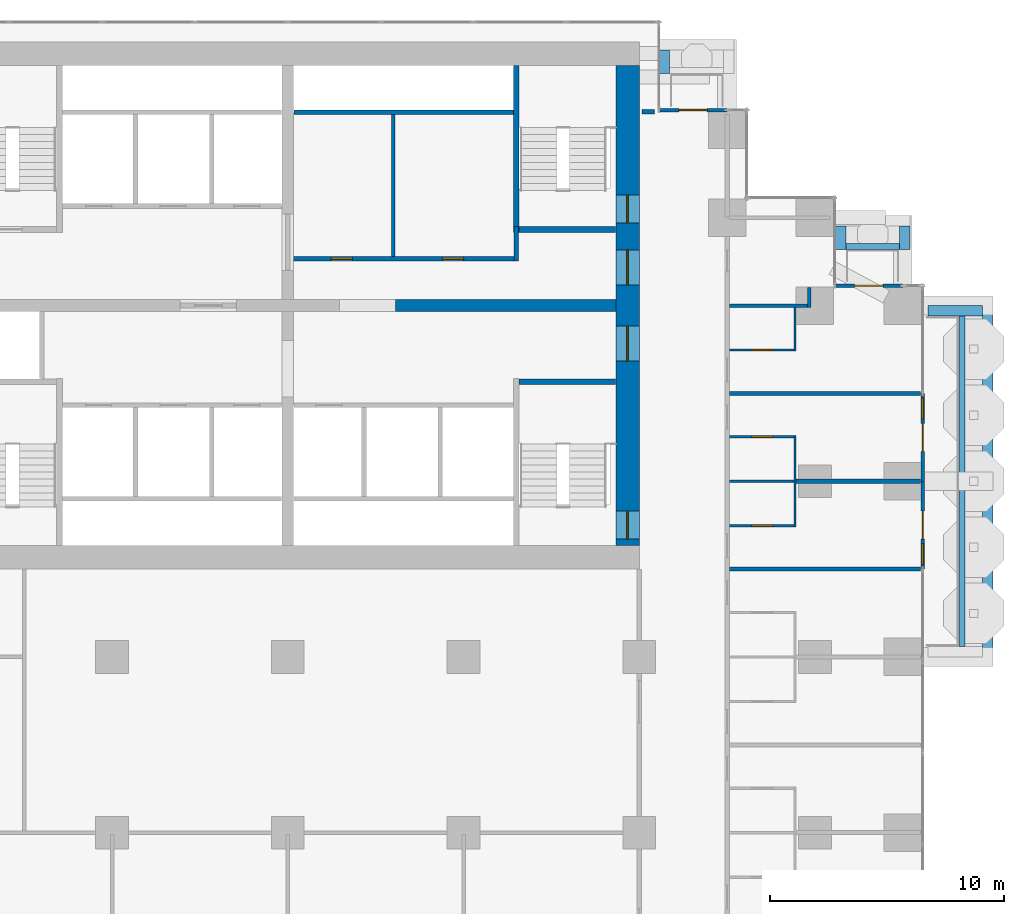
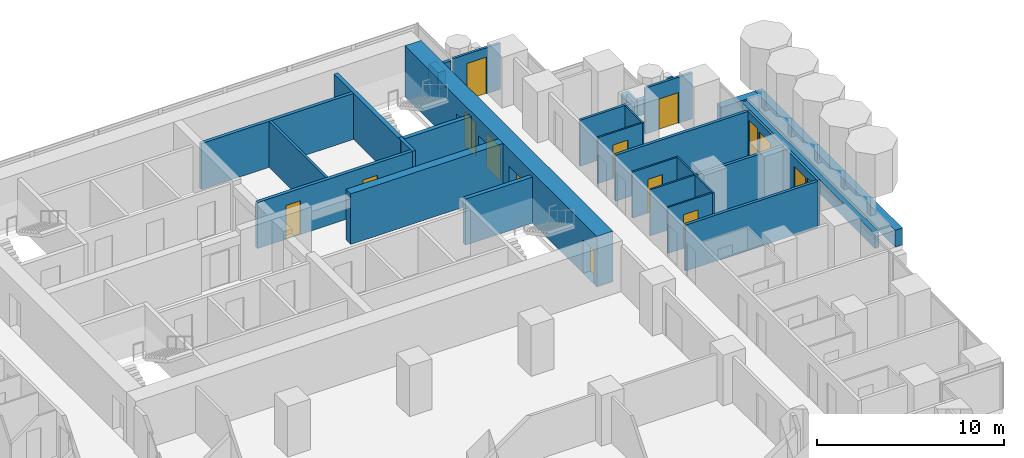
# One storey, part 15 of 19: 32 walls, 13 doors, 2 windows, 15 openings.
"""IFC4 building model written with IfcOpenShell, lengths in metres."""

from ifc_helpers import new_model, si_unit, direction, frame, frame_2d, origin, place, context, subcontext, project, spatial, rectangle, extrude, material, layer, layer_set, type_object, element, fill, save


model = new_model("IFC4")

# Units and contexts
model_context = context("Model", 3, precision=1e-05, world=origin(), true_north=direction((0.0, 1.0)))
body_context = subcontext(model_context, "Body", "Model", "MODEL_VIEW")
ifc_project = project(units=[si_unit("LENGTHUNIT", "METRE"), si_unit("AREAUNIT", "SQUARE_METRE"), si_unit("VOLUMEUNIT", "CUBIC_METRE"), si_unit("PLANEANGLEUNIT", "RADIAN"), si_unit("MASSUNIT", "GRAM", prefix="KILO")], contexts=[model_context])

# Site, building, storey
site_placement = place(None, origin())
site = spatial("IfcSite", under=ifc_project, at=site_placement, CompositionType="ELEMENT")
building_placement = place(site_placement, origin())
building = spatial("IfcBuilding", under=site, at=building_placement, Name="Pilkhan Gate Tower", CompositionType="ELEMENT")
storey_placement = place(building_placement, frame((0.0, 0.0, 39.5)))
storey = spatial("IfcBuildingStorey", under=building, at=storey_placement, Name="L06", CompositionType="ELEMENT", Elevation=39.5)

# Walls
ifc_material_1 = material(Name="Dense blockwork", Category="masonry")
ifc_layer_1 = layer(ifc_material_1, 0.175048828125)
ifc_layer_set_1 = layer_set([ifc_layer_1], Name="Acoustic party wall PW175")
wall_type_1 = type_object("IfcWallType", Name="Acoustic party wall PW175", PredefinedType="PARTITIONING", material=ifc_layer_set_1)
wall_1_placement = place(storey_placement, frame((93.85009765625, 71.25, 0.0), z_axis=(0.0, 0.0, 1.0), x_axis=(1.0, 0.0, 0.0)))
element("IfcWall", 1, at=wall_1_placement, inside=storey, type_object=wall_type_1, Name="Partition L06", PredefinedType="PARTITIONING", context=body_context, shape_type="SweptSolid", body=[
    extrude(rectangle(XDim=8.164794921875, YDim=0.175048828125, at=frame_2d((4.08251953125, 0.0))), origin(), (0.0, 0.0, 1.0), 3.0),
])
wall_2_placement = place(storey_placement, frame((96.699951171875, 75.0, 0.0), z_axis=(0.0, 0.0, 1.0), x_axis=(1.0, 0.0, 0.0)))
element("IfcWall", 2, at=wall_2_placement, inside=storey, type_object=wall_type_1, Name="Partition L06", PredefinedType="PARTITIONING", context=body_context, shape_type="SweptSolid", body=[
    extrude(rectangle(XDim=5.31494140625, YDim=0.175048828125, at=frame_2d((2.657470703125, 0.0))), origin(), (0.0, 0.0, 1.0), 3.0),
])
wall_3_placement = place(storey_placement, frame((93.85009765625, 78.75, 0.0), z_axis=(0.0, 0.0, 1.0), x_axis=(1.0, 0.0, 0.0)))
element("IfcWall", 3, at=wall_3_placement, inside=storey, type_object=wall_type_1, Name="Partition L06", PredefinedType="PARTITIONING", context=body_context, shape_type="SweptSolid", body=[
    extrude(rectangle(XDim=8.164794921875, YDim=0.175048828125, at=frame_2d((4.08251953125, 0.0))), origin(), (0.0, 0.0, 1.0), 3.0),
])
ifc_material_2 = material(Name="Concrete C40/50", Category="concrete")
ifc_layer_2 = layer(ifc_material_2, 0.25)
ifc_layer_set_2 = layer_set([ifc_layer_2], Name="Balcony planter BP250")
wall_type_2 = type_object("IfcWallType", Name="Balcony planter BP250", PredefinedType="USERDEFINED", material=ifc_layer_set_2)
wall_4_placement = place(storey_placement, frame((103.77490234375, 67.949951171875, 0.0), z_axis=(0.0, 0.0, 1.0), x_axis=(0.0, 1.0, 0.0)))
element("IfcWall", 4, at=wall_4_placement, inside=storey, type_object=wall_type_2, Name="Balcony planter L06 E", ObjectType="BALCONY PLANTER", PredefinedType="USERDEFINED", context=body_context, shape_type="SweptSolid", body=[
    extrude(rectangle(XDim=14.10009765625, YDim=0.25, at=frame_2d((7.050048828125, 0.0))), origin(), (0.0, 0.0, 1.0), 1.0),
])
wall_5_placement = place(storey_placement, frame((98.820068359375, 85.02490234375, 0.0), z_axis=(0.0, 0.0, 1.0), x_axis=(1.0, 0.0, 0.0)))
element("IfcWall", 5, at=wall_5_placement, inside=storey, type_object=wall_type_2, Name="Balcony planter L06 N", ObjectType="BALCONY PLANTER", PredefinedType="USERDEFINED", context=body_context, shape_type="SweptSolid", body=[
    extrude(rectangle(XDim=2.280029296875, YDim=0.25, at=frame_2d((1.14013671875, 0.0))), origin(), (0.0, 0.0, 1.0), 1.0),
])
ifc_material_3 = material(Name="Board-marked Concrete C40/50", Category="concrete")
ifc_layer_3 = layer(ifc_material_3, 0.449951171875)
ifc_layer_set_3 = layer_set([ifc_layer_3], Name="Balcony planter lip BL450")
wall_type_3 = type_object("IfcWallType", Name="Balcony planter lip BL450", PredefinedType="USERDEFINED", material=ifc_layer_set_3)
wall_6_placement = place(storey_placement, frame((104.875, 67.5, 0.0), z_axis=(0.0, 0.0, 1.0), x_axis=(0.0, 1.0, 0.0)))
element("IfcWall", 6, at=wall_6_placement, inside=storey, type_object=wall_type_3, Name="Balcony planter L06 E", ObjectType="BALCONY PLANTER", PredefinedType="USERDEFINED", context=body_context, shape_type="SweptSolid", body=[
    extrude(rectangle(XDim=15.0, YDim=0.449951171875, at=frame_2d((7.5, 0.0))), origin(), (0.0, 0.0, 1.0), 1.10009765625),
])
wall_7_placement = place(storey_placement, frame((102.320068359375, 82.27490234375, 0.0), z_axis=(0.0, 0.0, 1.0), x_axis=(1.0, 0.0, 0.0)))
element("IfcWall", 7, at=wall_7_placement, inside=storey, type_object=wall_type_3, Name="Balcony planter L06 E", ObjectType="BALCONY PLANTER", PredefinedType="USERDEFINED", context=body_context, shape_type="SweptSolid", body=[
    extrude(rectangle(XDim=2.329833984375, YDim=0.449951171875, at=frame_2d((1.1650390625, 0.0))), origin(), (0.0, 0.0, 1.0), 1.10009765625),
])
for number, where, z_axis, x_axis, name in (
    (8, (91.074951171875, 92.39990234375, 0.0), (0.0, 0.0, 1.0), (0.0, 1.0, 0.0), "Balcony planter L06 N"),
    (9, (98.594970703125, 84.89990234375, 0.0), (0.0, 0.0, 1.0), (0.0, 1.0, 0.0), "Balcony planter L06 N"),
    (10, (101.324951171875, 84.89990234375, 0.0), (0.0, 0.0, 1.0), (0.0, 1.0, 0.0), "Balcony planter L06 N"),
):
    element("IfcWall", number, at=place(storey_placement, frame(where, z_axis=z_axis, x_axis=x_axis)), inside=storey, type_object=wall_type_3, Name=name, ObjectType="BALCONY PLANTER", PredefinedType="USERDEFINED", context=body_context, shape_type="SweptSolid", body=[
        extrude(rectangle(XDim=1.0, YDim=0.449951171875, at=frame_2d((0.5, 0.0))), origin(), (0.0, 0.0, 1.0), 1.10009765625),
    ])

# Wall, openings, doors
ifc_material_4 = material(Name="Concrete C70/85", Category="concrete")
ifc_layer_4 = layer(ifc_material_4, 1.0)
ifc_layer_set_4 = layer_set([ifc_layer_4], Name="Core wall CW1000 C70/85")
wall_type_4 = type_object("IfcWallType", Name="Core wall CW1000 C70/85", PredefinedType="SHEAR", material=ifc_layer_set_4)
wall_8_placement = place(storey_placement, frame((89.5, 72.25, 0.0), z_axis=(0.0, 0.0, 1.0), x_axis=(0.0, 1.0, 0.0)))
wall_8 = element("IfcWall", 11, at=wall_8_placement, inside=storey, type_object=wall_type_4, Name="Core wall E L06", PredefinedType="SHEAR", context=body_context, shape_type="SweptSolid", body=[
    extrude(rectangle(XDim=20.5, YDim=1.0, at=frame_2d((10.25, 0.0))), origin(), (0.0, 0.0, 1.0), 3.300048828125),
])
opening_1_placement = place(wall_8_placement, frame((0.27490234375, 0.0, 0.0)))
opening_1 = element("IfcOpeningElement", 12, at=opening_1_placement, cuts=wall_8, Name="Opening L06-03", PredefinedType="OPENING", context=body_context, shape_type="SweptSolid", body=[
    extrude(rectangle(XDim=1.199951171875, YDim=2.199951171875, at=frame_2d((0.60009765625, 1.10009765625))), frame((0.0, 0.510009765625, 0.0), z_axis=(0.0, -1.0, 0.0), x_axis=(1.0, 0.0, 0.0)), (0.0, 0.0, 1.0), 1.02001953125),
])
opening_2_placement = place(wall_8_placement, frame((13.77490234375, 0.0, 0.0)))
opening_2 = element("IfcOpeningElement", 13, at=opening_2_placement, cuts=wall_8, Name="Opening L06-05", PredefinedType="OPENING", context=body_context, shape_type="SweptSolid", body=[
    extrude(rectangle(XDim=1.199951171875, YDim=2.199951171875, at=frame_2d((0.60009765625, 1.10009765625))), frame((0.0, 0.510009765625, 0.0), z_axis=(0.0, -1.0, 0.0), x_axis=(1.0, 0.0, 0.0)), (0.0, 0.0, 1.0), 1.02001953125),
])
opening_3_placement = place(wall_8_placement, frame((7.875, 0.0, 0.0)))
opening_3 = element("IfcOpeningElement", 14, at=opening_3_placement, cuts=wall_8, Name="Opening L06-58", PredefinedType="OPENING", context=body_context, shape_type="SweptSolid", body=[
    extrude(rectangle(XDim=1.5, YDim=2.199951171875, at=frame_2d((0.75, 1.10009765625))), frame((0.0, 0.510009765625, 0.0), z_axis=(0.0, -1.0, 0.0), x_axis=(1.0, 0.0, 0.0)), (0.0, 0.0, 1.0), 1.02001953125),
])
opening_4_placement = place(wall_8_placement, frame((11.125, 0.0, 0.0)))
opening_4 = element("IfcOpeningElement", 15, at=opening_4_placement, cuts=wall_8, Name="Opening L06-60", PredefinedType="OPENING", context=body_context, shape_type="SweptSolid", body=[
    extrude(rectangle(XDim=1.5, YDim=2.199951171875, at=frame_2d((0.75, 1.10009765625))), frame((0.0, 0.510009765625, 0.0), z_axis=(0.0, -1.0, 0.0), x_axis=(1.0, 0.0, 0.0)), (0.0, 0.0, 1.0), 1.02001953125),
])
ifc_material_5 = material(Name="Steel framed glazed door, 60 minute fire resisting", Category="steel")
door_type_1 = type_object("IfcDoorType", Name="Lobby door D09 1500x2200", OperationType="DOUBLE_DOOR_SINGLE_SWING", PredefinedType="DOOR", material=ifc_material_5)
door_1_placement = place(opening_3_placement, origin())
door_1 = element("IfcDoor", 16, at=door_1_placement, inside=storey, type_object=door_type_1, Name="Core door", OperationType="DOUBLE_DOOR_SINGLE_SWING", OverallHeight=2.199951171875, OverallWidth=1.5, PredefinedType="DOOR", context=body_context, shape_type="SweptSolid", body=[
    extrude(rectangle(XDim=1.5, YDim=2.199951171875, at=frame_2d((0.75, 1.10009765625))), frame((0.0, 0.02490234375, 0.0), z_axis=(0.0, -1.0, 0.0), x_axis=(1.0, 0.0, 0.0)), (0.0, 0.0, 1.0), 0.050048828125),
])
fill(opening_3, door_1)
door_2_placement = place(opening_4_placement, origin())
door_2 = element("IfcDoor", 17, at=door_2_placement, inside=storey, type_object=door_type_1, Name="Core door", OperationType="DOUBLE_DOOR_SINGLE_SWING", OverallHeight=2.199951171875, OverallWidth=1.5, PredefinedType="DOOR", context=body_context, shape_type="SweptSolid", body=[
    extrude(rectangle(XDim=1.5, YDim=2.199951171875, at=frame_2d((0.75, 1.10009765625))), frame((0.0, 0.02490234375, 0.0), z_axis=(0.0, -1.0, 0.0), x_axis=(1.0, 0.0, 0.0)), (0.0, 0.0, 1.0), 0.050048828125),
])
fill(opening_4, door_2)
ifc_material_6 = material(Name="Steel door, 120 minute fire resisting, panic bar", Category="steel")
door_type_2 = type_object("IfcDoorType", Name="Stair door D11 1200x2200", OperationType="SINGLE_SWING_LEFT", PredefinedType="DOOR", material=ifc_material_6)
door_3_placement = place(opening_1_placement, origin())
door_3 = element("IfcDoor", 18, at=door_3_placement, inside=storey, type_object=door_type_2, Name="Stair ST1 door", OperationType="SINGLE_SWING_RIGHT", OverallHeight=2.199951171875, OverallWidth=1.199951171875, PredefinedType="DOOR", context=body_context, shape_type="SweptSolid", body=[
    extrude(rectangle(XDim=1.199951171875, YDim=2.199951171875, at=frame_2d((0.60009765625, 1.10009765625))), frame((0.0, 0.02490234375, 0.0), z_axis=(0.0, -1.0, 0.0), x_axis=(1.0, 0.0, 0.0)), (0.0, 0.0, 1.0), 0.050048828125),
])
fill(opening_1, door_3)
door_4_placement = place(opening_2_placement, origin())
door_4 = element("IfcDoor", 19, at=door_4_placement, inside=storey, type_object=door_type_2, Name="Stair ST4 door", OperationType="SINGLE_SWING_LEFT", OverallHeight=2.199951171875, OverallWidth=1.199951171875, PredefinedType="DOOR", context=body_context, shape_type="SweptSolid", body=[
    extrude(rectangle(XDim=1.199951171875, YDim=2.199951171875, at=frame_2d((0.60009765625, 1.10009765625))), frame((0.0, 0.02490234375, 0.0), z_axis=(0.0, -1.0, 0.0), x_axis=(1.0, 0.0, 0.0)), (0.0, 0.0, 1.0), 0.050048828125),
])
fill(opening_2, door_4)

# Wall
ifc_layer_5 = layer(ifc_material_1, 0.199951171875)
ifc_layer_set_5 = layer_set([ifc_layer_5], Name="Corridor wall FW200")
wall_type_5 = type_object("IfcWallType", Name="Corridor wall FW200", PredefinedType="PARTITIONING", material=ifc_layer_set_5)
wall_9_placement = place(storey_placement, frame((90.1201171875, 90.764892578125, 0.0), z_axis=(0.0, 0.0, 1.0), x_axis=(1.0, 0.0, 0.0)))
element("IfcWall", 20, at=wall_9_placement, inside=storey, type_object=wall_type_5, Name="Partition L06", PredefinedType="PARTITIONING", context=body_context, shape_type="SweptSolid", body=[
    extrude(rectangle(XDim=0.52490234375, YDim=0.199951171875, at=frame_2d((0.262451171875, 0.0))), origin(), (0.0, 0.0, 1.0), 3.0),
])

# Wall, openings, door, window
ifc_material_7 = material(Name="Pale anodised aluminium, clear laminated glazing", Category="aluminium")
ifc_layer_6 = layer(ifc_material_7, 0.14990234375)
ifc_layer_set_6 = layer_set([ifc_layer_6], Name="Facade infill wall IW150")
wall_type_6 = type_object("IfcWallType", Name="Facade infill wall IW150", PredefinedType="SOLIDWALL", material=ifc_layer_set_6)
wall_10_placement = place(storey_placement, frame((102.094970703125, 71.25, 0.0), z_axis=(0.0, 0.0, 1.0), x_axis=(0.0, 1.0, 0.0)))
wall_10 = element("IfcWall", 21, at=wall_10_placement, inside=storey, type_object=wall_type_6, Name="Infill wall L06 E", PredefinedType="SOLIDWALL", context=body_context, shape_type="SweptSolid", body=[
    extrude(rectangle(XDim=3.75, YDim=0.14990234375, at=frame_2d((1.875, 0.0))), origin(), (0.0, 0.0, 1.0), 3.0),
])
opening_5_placement = place(wall_10_placement, frame((0.1875, 0.0, 0.10009765625)))
opening_5 = element("IfcOpeningElement", 22, at=opening_5_placement, cuts=wall_10, Name="Opening W1", PredefinedType="OPENING", context=body_context, shape_type="SweptSolid", body=[
    extrude(rectangle(XDim=0.89990234375, YDim=2.39990234375, at=frame_2d((0.449951171875, 1.199951171875))), frame((0.0, 0.0849609375, 0.0), z_axis=(0.0, -1.0, 0.0), x_axis=(1.0, 0.0, 0.0)), (0.0, 0.0, 1.0), 0.169921875),
])
opening_6_placement = place(wall_10_placement, frame((1.27490234375, 0.0, 0.0)))
opening_6 = element("IfcOpeningElement", 23, at=opening_6_placement, cuts=wall_10, Name="Opening D1", PredefinedType="OPENING", context=body_context, shape_type="SweptSolid", body=[
    extrude(rectangle(XDim=1.199951171875, YDim=2.39990234375, at=frame_2d((0.60009765625, 1.199951171875))), frame((0.0, 0.0849609375, 0.0), z_axis=(0.0, -1.0, 0.0), x_axis=(1.0, 0.0, 0.0)), (0.0, 0.0, 1.0), 0.169921875),
])
ifc_material_8 = material(Name="Pale anodised aluminium, clear glazing", Category="aluminium")
door_type_3 = type_object("IfcDoorType", Name="Balcony door D1 1200x2400", OperationType="SINGLE_SWING_LEFT", PredefinedType="DOOR", material=ifc_material_8)
door_5_placement = place(opening_6_placement, origin())
door_5 = element("IfcDoor", 24, at=door_5_placement, inside=storey, type_object=door_type_3, Name="Balcony door L06", OperationType="SINGLE_SWING_LEFT", OverallHeight=2.39990234375, OverallWidth=1.199951171875, PredefinedType="DOOR", context=body_context, shape_type="SweptSolid", body=[
    extrude(rectangle(XDim=1.199951171875, YDim=2.39990234375, at=frame_2d((0.60009765625, 1.199951171875))), frame((0.0, 0.02490234375, 0.0), z_axis=(0.0, -1.0, 0.0), x_axis=(1.0, 0.0, 0.0)), (0.0, 0.0, 1.0), 0.050048828125),
])
fill(opening_6, door_5)
ifc_material_9 = material(Name="Pale anodised aluminium, clear double glazing", Category="aluminium")
window_type = type_object("IfcWindowType", Name="Window W1 900x2400", PartitioningType="SINGLE_PANEL", PredefinedType="WINDOW", material=ifc_material_9)
window_1_placement = place(opening_5_placement, origin())
window_1 = element("IfcWindow", 25, at=window_1_placement, inside=storey, type_object=window_type, Name="Window L06", OverallHeight=2.39990234375, OverallWidth=0.89990234375, PartitioningType="SINGLE_PANEL", PredefinedType="WINDOW", context=body_context, shape_type="SweptSolid", body=[
    extrude(rectangle(XDim=0.89990234375, YDim=2.39990234375, at=frame_2d((0.449951171875, 1.199951171875))), frame((0.0, 0.030029296875, 0.0), z_axis=(0.0, -1.0, 0.0), x_axis=(1.0, 0.0, 0.0)), (0.0, 0.0, 1.0), 0.06005859375),
])
fill(opening_5, window_1)

wall_11_placement = place(storey_placement, frame((102.094970703125, 75.0, 0.0), z_axis=(0.0, 0.0, 1.0), x_axis=(0.0, 1.0, 0.0)))
wall_11 = element("IfcWall", 26, at=wall_11_placement, inside=storey, type_object=wall_type_6, Name="Infill wall L06 E", PredefinedType="SOLIDWALL", context=body_context, shape_type="SweptSolid", body=[
    extrude(rectangle(XDim=3.75, YDim=0.14990234375, at=frame_2d((1.875, 0.0))), origin(), (0.0, 0.0, 1.0), 3.0),
])
opening_7_placement = place(wall_11_placement, frame((1.27490234375, 0.0, 0.0)))
opening_7 = element("IfcOpeningElement", 27, at=opening_7_placement, cuts=wall_11, Name="Opening D1", PredefinedType="OPENING", context=body_context, shape_type="SweptSolid", body=[
    extrude(rectangle(XDim=1.199951171875, YDim=2.39990234375, at=frame_2d((0.60009765625, 1.199951171875))), frame((0.0, 0.0849609375, 0.0), z_axis=(0.0, -1.0, 0.0), x_axis=(1.0, 0.0, 0.0)), (0.0, 0.0, 1.0), 0.169921875),
])
opening_8_placement = place(wall_11_placement, frame((2.66259765625, 0.0, 0.10009765625)))
opening_8 = element("IfcOpeningElement", 28, at=opening_8_placement, cuts=wall_11, Name="Opening W1", PredefinedType="OPENING", context=body_context, shape_type="SweptSolid", body=[
    extrude(rectangle(XDim=0.89990234375, YDim=2.39990234375, at=frame_2d((0.449951171875, 1.199951171875))), frame((0.0, 0.0849609375, 0.0), z_axis=(0.0, -1.0, 0.0), x_axis=(1.0, 0.0, 0.0)), (0.0, 0.0, 1.0), 0.169921875),
])
door_6_placement = place(opening_7_placement, origin())
door_6 = element("IfcDoor", 29, at=door_6_placement, inside=storey, type_object=door_type_3, Name="Balcony door L06", OperationType="SINGLE_SWING_LEFT", OverallHeight=2.39990234375, OverallWidth=1.199951171875, PredefinedType="DOOR", context=body_context, shape_type="SweptSolid", body=[
    extrude(rectangle(XDim=1.199951171875, YDim=2.39990234375, at=frame_2d((0.60009765625, 1.199951171875))), frame((0.0, 0.02490234375, 0.0), z_axis=(0.0, -1.0, 0.0), x_axis=(1.0, 0.0, 0.0)), (0.0, 0.0, 1.0), 0.050048828125),
])
fill(opening_7, door_6)
window_2_placement = place(opening_8_placement, origin())
window_2 = element("IfcWindow", 30, at=window_2_placement, inside=storey, type_object=window_type, Name="Window L06", OverallHeight=2.39990234375, OverallWidth=0.89990234375, PartitioningType="SINGLE_PANEL", PredefinedType="WINDOW", context=body_context, shape_type="SweptSolid", body=[
    extrude(rectangle(XDim=0.89990234375, YDim=2.39990234375, at=frame_2d((0.449951171875, 1.199951171875))), frame((0.0, 0.030029296875, 0.0), z_axis=(0.0, -1.0, 0.0), x_axis=(1.0, 0.0, 0.0)), (0.0, 0.0, 1.0), 0.06005859375),
])
fill(opening_8, window_2)

# Wall, opening, door
wall_12_placement = place(storey_placement, frame((98.344970703125, 83.344970703125, 0.0), z_axis=(0.0, 0.0, 1.0), x_axis=(1.0, 0.0, 0.0)))
wall_12 = element("IfcWall", 31, at=wall_12_placement, inside=storey, type_object=wall_type_6, Name="Infill wall L06 N", PredefinedType="SOLIDWALL", context=body_context, shape_type="SweptSolid", body=[
    extrude(rectangle(XDim=2.905029296875, YDim=0.14990234375, at=frame_2d((1.45263671875, 0.0))), origin(), (0.0, 0.0, 1.0), 3.0),
])
opening_9_placement = place(wall_12_placement, frame((0.8525390625, 0.0, 0.0)))
opening_9 = element("IfcOpeningElement", 32, at=opening_9_placement, cuts=wall_12, Name="Opening D1L", PredefinedType="OPENING", context=body_context, shape_type="SweptSolid", body=[
    extrude(rectangle(XDim=1.199951171875, YDim=2.0, at=frame_2d((0.60009765625, 1.0))), frame((0.0, 0.0849609375, 0.0), z_axis=(0.0, -1.0, 0.0), x_axis=(1.0, 0.0, 0.0)), (0.0, 0.0, 1.0), 0.169921875),
])
door_type_4 = type_object("IfcDoorType", Name="Balcony door D1L 1200x2000", OperationType="SINGLE_SWING_LEFT", PredefinedType="DOOR", material=ifc_material_8)
door_7_placement = place(opening_9_placement, origin())
door_7 = element("IfcDoor", 33, at=door_7_placement, inside=storey, type_object=door_type_4, Name="Balcony door L06", OperationType="SINGLE_SWING_LEFT", OverallHeight=2.0, OverallWidth=1.199951171875, PredefinedType="DOOR", context=body_context, shape_type="SweptSolid", body=[
    extrude(rectangle(XDim=1.199951171875, YDim=2.0, at=frame_2d((0.60009765625, 1.0))), frame((0.0, 0.02490234375, 0.0), z_axis=(0.0, -1.0, 0.0), x_axis=(1.0, 0.0, 0.0)), (0.0, 0.0, 1.0), 0.050048828125),
])
fill(opening_9, door_7)

wall_13_placement = place(storey_placement, frame((90.844970703125, 90.844970703125, 0.0), z_axis=(0.0, 0.0, 1.0), x_axis=(1.0, 0.0, 0.0)))
wall_13 = element("IfcWall", 34, at=wall_13_placement, inside=storey, type_object=wall_type_6, Name="Infill wall L06 N", PredefinedType="SOLIDWALL", context=body_context, shape_type="SweptSolid", body=[
    extrude(rectangle(XDim=2.905029296875, YDim=0.14990234375, at=frame_2d((1.45263671875, 0.0))), origin(), (0.0, 0.0, 1.0), 3.0),
])
opening_10_placement = place(wall_13_placement, frame((0.8525390625, 0.0, 0.0)))
opening_10 = element("IfcOpeningElement", 35, at=opening_10_placement, cuts=wall_13, Name="Opening D1", PredefinedType="OPENING", context=body_context, shape_type="SweptSolid", body=[
    extrude(rectangle(XDim=1.199951171875, YDim=2.39990234375, at=frame_2d((0.60009765625, 1.199951171875))), frame((0.0, 0.0849609375, 0.0), z_axis=(0.0, -1.0, 0.0), x_axis=(1.0, 0.0, 0.0)), (0.0, 0.0, 1.0), 0.169921875),
])
door_8_placement = place(opening_10_placement, origin())
door_8 = element("IfcDoor", 36, at=door_8_placement, inside=storey, type_object=door_type_3, Name="Balcony door L06", OperationType="SINGLE_SWING_LEFT", OverallHeight=2.39990234375, OverallWidth=1.199951171875, PredefinedType="DOOR", context=body_context, shape_type="SweptSolid", body=[
    extrude(rectangle(XDim=1.199951171875, YDim=2.39990234375, at=frame_2d((0.60009765625, 1.199951171875))), frame((0.0, 0.02490234375, 0.0), z_axis=(0.0, -1.0, 0.0), x_axis=(1.0, 0.0, 0.0)), (0.0, 0.0, 1.0), 0.050048828125),
])
fill(opening_10, door_8)

# Wall, openings, doors
ifc_layer_7 = layer(ifc_material_1, 0.199951171875)
ifc_layer_set_7 = layer_set([ifc_layer_7], Name="Lobby wall LW200")
wall_type_7 = type_object("IfcWallType", Name="Lobby wall LW200", PredefinedType="PARTITIONING", material=ifc_layer_set_7)
wall_14_placement = place(storey_placement, frame((75.10009765625, 84.5, 0.0), z_axis=(0.0, 0.0, 1.0), x_axis=(1.0, 0.0, 0.0)))
wall_14 = element("IfcWall", 37, at=wall_14_placement, inside=storey, type_object=wall_type_7, Name="Partition L06", PredefinedType="PARTITIONING", context=body_context, shape_type="SweptSolid", body=[
    extrude(rectangle(XDim=9.5498046875, YDim=0.199951171875, at=frame_2d((4.77490234375, 0.0))), origin(), (0.0, 0.0, 1.0), 3.0),
])
opening_11_placement = place(wall_14_placement, frame((1.75, 0.0, 0.0)))
opening_11 = element("IfcOpeningElement", 38, at=opening_11_placement, cuts=wall_14, Name="Opening L06-61", PredefinedType="OPENING", context=body_context, shape_type="SweptSolid", body=[
    extrude(rectangle(XDim=0.89990234375, YDim=2.199951171875, at=frame_2d((0.449951171875, 1.10009765625))), frame((0.0, 0.10986328125, 0.0), z_axis=(0.0, -1.0, 0.0), x_axis=(1.0, 0.0, 0.0)), (0.0, 0.0, 1.0), 0.219970703125),
])
opening_12_placement = place(wall_14_placement, frame((6.5, 0.0, 0.0)))
opening_12 = element("IfcOpeningElement", 39, at=opening_12_placement, cuts=wall_14, Name="Opening L06-62", PredefinedType="OPENING", context=body_context, shape_type="SweptSolid", body=[
    extrude(rectangle(XDim=0.89990234375, YDim=2.199951171875, at=frame_2d((0.449951171875, 1.10009765625))), frame((0.0, 0.10986328125, 0.0), z_axis=(0.0, -1.0, 0.0), x_axis=(1.0, 0.0, 0.0)), (0.0, 0.0, 1.0), 0.219970703125),
])
ifc_material_10 = material(Name="Timber flush door, 60 minute fire resisting, self-closing", Category="wood")
door_type_5 = type_object("IfcDoorType", Name="Store door D05 900x2200", OperationType="SINGLE_SWING_LEFT", PredefinedType="DOOR", material=ifc_material_10)
door_9_placement = place(opening_11_placement, origin())
door_9 = element("IfcDoor", 40, at=door_9_placement, inside=storey, type_object=door_type_5, Name="Store door", OperationType="SINGLE_SWING_RIGHT", OverallHeight=2.199951171875, OverallWidth=0.89990234375, PredefinedType="DOOR", context=body_context, shape_type="SweptSolid", body=[
    extrude(rectangle(XDim=0.89990234375, YDim=2.199951171875, at=frame_2d((0.449951171875, 1.10009765625))), frame((0.0, 0.02490234375, 0.0), z_axis=(0.0, -1.0, 0.0), x_axis=(1.0, 0.0, 0.0)), (0.0, 0.0, 1.0), 0.050048828125),
])
fill(opening_11, door_9)
door_10_placement = place(opening_12_placement, origin())
door_10 = element("IfcDoor", 41, at=door_10_placement, inside=storey, type_object=door_type_5, Name="Store door", OperationType="SINGLE_SWING_LEFT", OverallHeight=2.199951171875, OverallWidth=0.89990234375, PredefinedType="DOOR", context=body_context, shape_type="SweptSolid", body=[
    extrude(rectangle(XDim=0.89990234375, YDim=2.199951171875, at=frame_2d((0.449951171875, 1.10009765625))), frame((0.0, 0.02490234375, 0.0), z_axis=(0.0, -1.0, 0.0), x_axis=(1.0, 0.0, 0.0)), (0.0, 0.0, 1.0), 0.050048828125),
])
fill(opening_12, door_10)

# Walls
wall_15_placement = place(storey_placement, frame((75.260009765625, 90.75, 0.0), z_axis=(0.0, 0.0, 1.0), x_axis=(1.0, 0.0, 0.0)))
element("IfcWall", 42, at=wall_15_placement, inside=storey, type_object=wall_type_7, Name="Partition L06", PredefinedType="PARTITIONING", context=body_context, shape_type="SweptSolid", body=[
    extrude(rectangle(XDim=9.364990234375, YDim=0.199951171875, at=frame_2d((4.6826171875, 0.0))), origin(), (0.0, 0.0, 1.0), 3.0),
])
wall_16_placement = place(storey_placement, frame((84.75, 84.39990234375, 0.0), z_axis=(0.0, 0.0, 1.0), x_axis=(0.0, 1.0, 0.0)))
element("IfcWall", 43, at=wall_16_placement, inside=storey, type_object=wall_type_7, Name="Partition L06", PredefinedType="PARTITIONING", context=body_context, shape_type="SweptSolid", body=[
    extrude(rectangle(XDim=1.47509765625, YDim=0.199951171875, at=frame_2d((0.737548828125, 0.0))), origin(), (0.0, 0.0, 1.0), 3.0),
])
ifc_material_11 = material(Name="Blockwork partition, plastered both sides", Category="masonry")
ifc_layer_8 = layer(ifc_material_11, 0.14990234375)
ifc_layer_set_8 = layer_set([ifc_layer_8], Name="Partition PW150")
wall_type_8 = type_object("IfcWallType", Name="Partition PW150", PredefinedType="PARTITIONING", material=ifc_layer_set_8)
wall_17_placement = place(storey_placement, frame((93.85009765625, 82.5, 0.0), z_axis=(0.0, 0.0, 1.0), x_axis=(1.0, 0.0, 0.0)))
element("IfcWall", 44, at=wall_17_placement, inside=storey, type_object=wall_type_8, Name="Partition L06", PredefinedType="PARTITIONING", context=body_context, shape_type="SweptSolid", body=[
    extrude(rectangle(XDim=3.33984375, YDim=0.14990234375, at=frame_2d((1.669921875, 0.0))), origin(), (0.0, 0.0, 1.0), 3.0),
])
wall_18_placement = place(storey_placement, frame((79.5, 84.60009765625, 0.0), z_axis=(0.0, 0.0, 1.0), x_axis=(0.0, 1.0, 0.0)))
element("IfcWall", 45, at=wall_18_placement, inside=storey, type_object=wall_type_8, Name="Partition L06", PredefinedType="PARTITIONING", context=body_context, shape_type="SweptSolid", body=[
    extrude(rectangle(XDim=6.0498046875, YDim=0.14990234375, at=frame_2d((3.02490234375, 0.0))), origin(), (0.0, 0.0, 1.0), 3.0),
])
wall_19_placement = place(storey_placement, frame((97.264892578125, 82.425048828125, 0.0), z_axis=(0.0, 0.0, 1.0), x_axis=(0.0, 1.0, 0.0)))
element("IfcWall", 46, at=wall_19_placement, inside=storey, type_object=wall_type_8, Name="Partition L06", PredefinedType="PARTITIONING", context=body_context, shape_type="SweptSolid", body=[
    extrude(rectangle(XDim=0.83984375, YDim=0.14990234375, at=frame_2d((0.419921875, 0.0))), origin(), (0.0, 0.0, 1.0), 3.0),
])
ifc_layer_9 = layer(ifc_material_4, 0.5)
ifc_layer_set_9 = layer_set([ifc_layer_9], Name="Spine wall SW500 C70/85")
wall_type_9 = type_object("IfcWallType", Name="Spine wall SW500 C70/85", PredefinedType="SHEAR", material=ifc_layer_set_9)
wall_20_placement = place(storey_placement, frame((79.60009765625, 82.5, 0.0), z_axis=(0.0, 0.0, 1.0), x_axis=(1.0, 0.0, 0.0)))
element("IfcWall", 47, at=wall_20_placement, inside=storey, type_object=wall_type_9, Name="Spine wall SP-EW3 L06", PredefinedType="SHEAR", context=body_context, shape_type="SweptSolid", body=[
    extrude(rectangle(XDim=9.39990234375, YDim=0.5, at=frame_2d((4.699951171875, 0.0))), origin(), (0.0, 0.0, 1.0), 3.300048828125),
])
ifc_material_12 = material(Name="Reinforced blockwork, 120 minute fire resisting", Category="masonry")
ifc_layer_10 = layer(ifc_material_12, 0.25)
ifc_layer_set_10 = layer_set([ifc_layer_10], Name="Stair enclosure wall SE250")
wall_type_10 = type_object("IfcWallType", Name="Stair enclosure wall SE250", PredefinedType="PARTITIONING", material=ifc_layer_set_10)
for number, where, z_axis, x_axis, name in (
    (48, (84.875, 79.25, 0.0), (0.0, 0.0, 1.0), (1.0, 0.0, 0.0), "Partition L06"),
    (49, (84.875, 85.75, 0.0), (0.0, 0.0, 1.0), (1.0, 0.0, 0.0), "Partition L06"),
):
    element("IfcWall", number, at=place(storey_placement, frame(where, z_axis=z_axis, x_axis=x_axis)), inside=storey, type_object=wall_type_10, Name=name, PredefinedType="PARTITIONING", context=body_context, shape_type="SweptSolid", body=[
        extrude(rectangle(XDim=4.114990234375, YDim=0.25, at=frame_2d((2.0576171875, 0.0))), origin(), (0.0, 0.0, 1.0), 3.0),
    ])
wall_21_placement = place(storey_placement, frame((84.75, 85.625, 0.0), z_axis=(0.0, 0.0, 1.0), x_axis=(0.0, 1.0, 0.0)))
element("IfcWall", 50, at=wall_21_placement, inside=storey, type_object=wall_type_10, Name="Partition L06", PredefinedType="PARTITIONING", context=body_context, shape_type="SweptSolid", body=[
    extrude(rectangle(XDim=7.114990234375, YDim=0.25, at=frame_2d((3.5576171875, 0.0))), origin(), (0.0, 0.0, 1.0), 3.0),
])

# Wall, opening, door
ifc_material_13 = material(Name="Moisture resistant board, tiled")
ifc_layer_11 = layer(ifc_material_13, 0.10009765625)
ifc_layer_set_11 = layer_set([ifc_layer_11], Name="Wet wall PW100")
wall_type_11 = type_object("IfcWallType", Name="Wet wall PW100", PredefinedType="PARTITIONING", material=ifc_layer_set_11)
wall_22_placement = place(storey_placement, frame((93.85009765625, 73.10009765625, 0.0), z_axis=(0.0, 0.0, 1.0), x_axis=(1.0, 0.0, 0.0)))
wall_22 = element("IfcWall", 51, at=wall_22_placement, inside=storey, type_object=wall_type_11, Name="Partition L06", PredefinedType="PARTITIONING", context=body_context, shape_type="SweptSolid", body=[
    extrude(rectangle(XDim=2.75, YDim=0.10009765625, at=frame_2d((1.375, 0.0))), origin(), (0.0, 0.0, 1.0), 3.0),
])
opening_13_placement = place(wall_22_placement, frame((0.949951171875, 0.0, 0.0)))
opening_13 = element("IfcOpeningElement", 52, at=opening_13_placement, cuts=wall_22, Name="Opening L06-53", PredefinedType="OPENING", context=body_context, shape_type="SweptSolid", body=[
    extrude(rectangle(XDim=0.89990234375, YDim=2.199951171875, at=frame_2d((0.449951171875, 1.10009765625))), frame((0.0, 0.06005859375, 0.0), z_axis=(0.0, -1.0, 0.0), x_axis=(1.0, 0.0, 0.0)), (0.0, 0.0, 1.0), 0.1201171875),
])
ifc_material_14 = material(Name="Timber flush door", Category="wood")
door_type_6 = type_object("IfcDoorType", Name="Bathroom door D02 900x2200", OperationType="SINGLE_SWING_RIGHT", PredefinedType="DOOR", material=ifc_material_14)
door_11_placement = place(opening_13_placement, origin())
door_11 = element("IfcDoor", 53, at=door_11_placement, inside=storey, type_object=door_type_6, Name="Bathroom door", OperationType="SINGLE_SWING_RIGHT", OverallHeight=2.199951171875, OverallWidth=0.89990234375, PredefinedType="DOOR", context=body_context, shape_type="SweptSolid", body=[
    extrude(rectangle(XDim=0.89990234375, YDim=2.199951171875, at=frame_2d((0.449951171875, 1.10009765625))), frame((0.0, 0.02490234375, 0.0), z_axis=(0.0, -1.0, 0.0), x_axis=(1.0, 0.0, 0.0)), (0.0, 0.0, 1.0), 0.050048828125),
])
fill(opening_13, door_11)

# Wall
wall_23_placement = place(storey_placement, frame((93.85009765625, 75.0, 0.0), z_axis=(0.0, 0.0, 1.0), x_axis=(1.0, 0.0, 0.0)))
element("IfcWall", 54, at=wall_23_placement, inside=storey, type_object=wall_type_11, Name="Partition L06", PredefinedType="PARTITIONING", context=body_context, shape_type="SweptSolid", body=[
    extrude(rectangle(XDim=2.75, YDim=0.10009765625, at=frame_2d((1.375, 0.0))), origin(), (0.0, 0.0, 1.0), 3.0),
])

# Wall, opening, door
wall_24_placement = place(storey_placement, frame((93.85009765625, 76.89990234375, 0.0), z_axis=(0.0, 0.0, 1.0), x_axis=(1.0, 0.0, 0.0)))
wall_24 = element("IfcWall", 55, at=wall_24_placement, inside=storey, type_object=wall_type_11, Name="Partition L06", PredefinedType="PARTITIONING", context=body_context, shape_type="SweptSolid", body=[
    extrude(rectangle(XDim=2.75, YDim=0.10009765625, at=frame_2d((1.375, 0.0))), origin(), (0.0, 0.0, 1.0), 3.0),
])
opening_14_placement = place(wall_24_placement, frame((0.949951171875, 0.0, 0.0)))
opening_14 = element("IfcOpeningElement", 56, at=opening_14_placement, cuts=wall_24, Name="Opening L06-55", PredefinedType="OPENING", context=body_context, shape_type="SweptSolid", body=[
    extrude(rectangle(XDim=0.89990234375, YDim=2.199951171875, at=frame_2d((0.449951171875, 1.10009765625))), frame((0.0, 0.06005859375, 0.0), z_axis=(0.0, -1.0, 0.0), x_axis=(1.0, 0.0, 0.0)), (0.0, 0.0, 1.0), 0.1201171875),
])
door_12_placement = place(opening_14_placement, origin())
door_12 = element("IfcDoor", 57, at=door_12_placement, inside=storey, type_object=door_type_6, Name="Bathroom door", OperationType="SINGLE_SWING_RIGHT", OverallHeight=2.199951171875, OverallWidth=0.89990234375, PredefinedType="DOOR", context=body_context, shape_type="SweptSolid", body=[
    extrude(rectangle(XDim=0.89990234375, YDim=2.199951171875, at=frame_2d((0.449951171875, 1.10009765625))), frame((0.0, 0.02490234375, 0.0), z_axis=(0.0, -1.0, 0.0), x_axis=(1.0, 0.0, 0.0)), (0.0, 0.0, 1.0), 0.050048828125),
])
fill(opening_14, door_12)

wall_25_placement = place(storey_placement, frame((93.85009765625, 80.60009765625, 0.0), z_axis=(0.0, 0.0, 1.0), x_axis=(1.0, 0.0, 0.0)))
wall_25 = element("IfcWall", 58, at=wall_25_placement, inside=storey, type_object=wall_type_11, Name="Partition L06", PredefinedType="PARTITIONING", context=body_context, shape_type="SweptSolid", body=[
    extrude(rectangle(XDim=2.75, YDim=0.10009765625, at=frame_2d((1.375, 0.0))), origin(), (0.0, 0.0, 1.0), 3.0),
])
opening_15_placement = place(wall_25_placement, frame((0.949951171875, 0.0, 0.0)))
opening_15 = element("IfcOpeningElement", 59, at=opening_15_placement, cuts=wall_25, Name="Opening L06-57", PredefinedType="OPENING", context=body_context, shape_type="SweptSolid", body=[
    extrude(rectangle(XDim=0.89990234375, YDim=2.199951171875, at=frame_2d((0.449951171875, 1.10009765625))), frame((0.0, 0.06005859375, 0.0), z_axis=(0.0, -1.0, 0.0), x_axis=(1.0, 0.0, 0.0)), (0.0, 0.0, 1.0), 0.1201171875),
])
door_13_placement = place(opening_15_placement, origin())
door_13 = element("IfcDoor", 60, at=door_13_placement, inside=storey, type_object=door_type_6, Name="Bathroom door", OperationType="SINGLE_SWING_RIGHT", OverallHeight=2.199951171875, OverallWidth=0.89990234375, PredefinedType="DOOR", context=body_context, shape_type="SweptSolid", body=[
    extrude(rectangle(XDim=0.89990234375, YDim=2.199951171875, at=frame_2d((0.449951171875, 1.10009765625))), frame((0.0, 0.02490234375, 0.0), z_axis=(0.0, -1.0, 0.0), x_axis=(1.0, 0.0, 0.0)), (0.0, 0.0, 1.0), 0.050048828125),
])
fill(opening_15, door_13)

# Walls
wall_26_placement = place(storey_placement, frame((96.64990234375, 73.050048828125, 0.0), z_axis=(0.0, 0.0, 1.0), x_axis=(0.0, 1.0, 0.0)))
element("IfcWall", 61, at=wall_26_placement, inside=storey, type_object=wall_type_11, Name="Partition L06", PredefinedType="PARTITIONING", context=body_context, shape_type="SweptSolid", body=[
    extrude(rectangle(XDim=3.89990234375, YDim=0.10009765625, at=frame_2d((1.949951171875, 0.0))), origin(), (0.0, 0.0, 1.0), 3.0),
])
wall_27_placement = place(storey_placement, frame((96.64990234375, 80.550048828125, 0.0), z_axis=(0.0, 0.0, 1.0), x_axis=(0.0, 1.0, 0.0)))
element("IfcWall", 62, at=wall_27_placement, inside=storey, type_object=wall_type_11, Name="Partition L06", PredefinedType="PARTITIONING", context=body_context, shape_type="SweptSolid", body=[
    extrude(rectangle(XDim=1.875, YDim=0.10009765625, at=frame_2d((0.9375, 0.0))), origin(), (0.0, 0.0, 1.0), 3.0),
])

save(model, "model.ifc")
